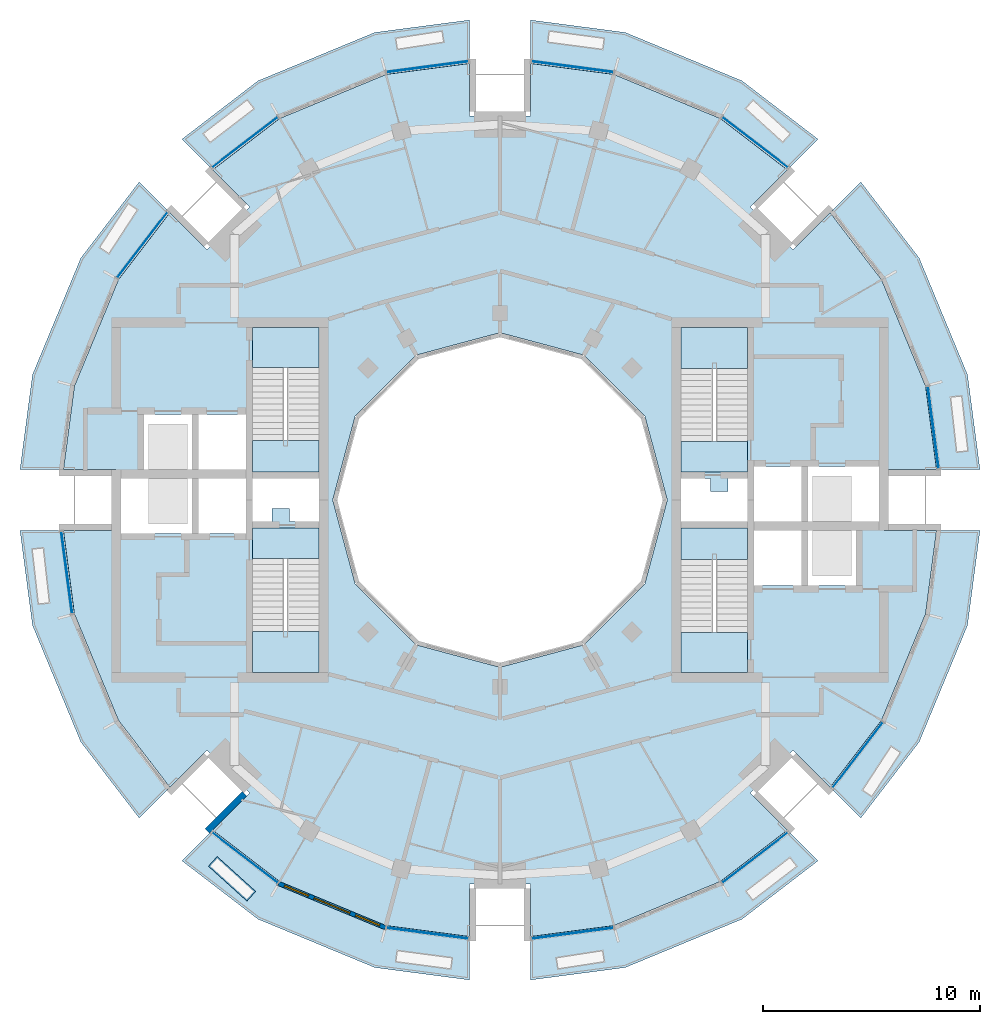
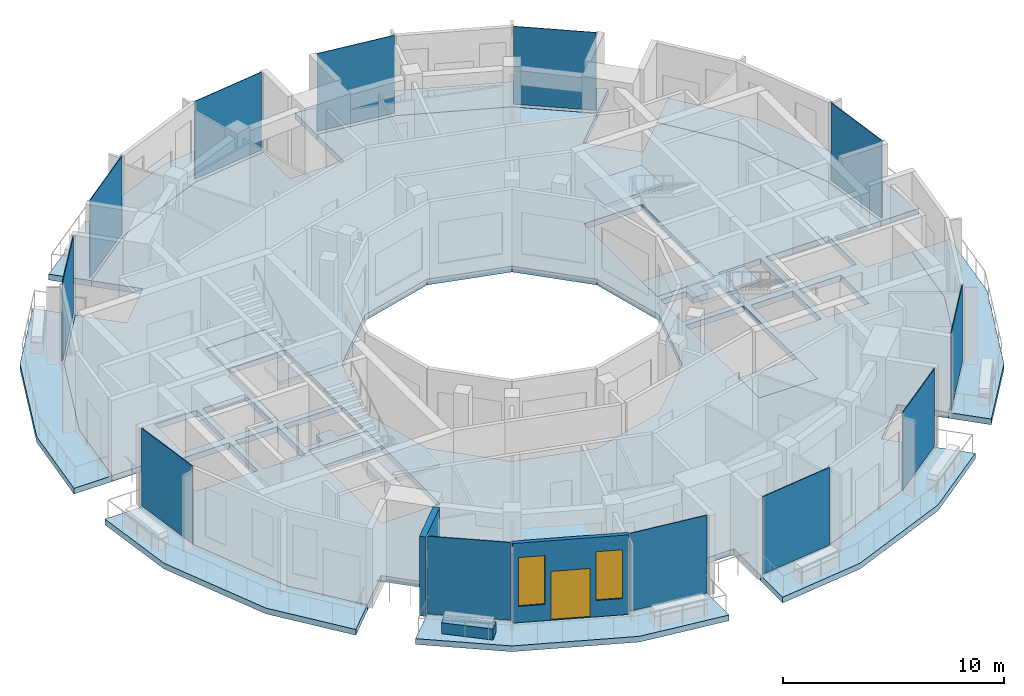
# One storey, part 6 of 15: 17 slabs, 12 plates, 3 walls, 2 windows, 1 door, 3 openings, 16 elements without a shape of their own.
"""IFC4 building model written with IfcOpenShell, lengths in metres."""

from ifc_helpers import new_model, si_unit, direction, frame, frame_2d, origin, origin_2d, place, context, subcontext, project, spatial, polyline, rectangle, outline, extrude, material, layer, layer_set, type_object, element, fill, aggregate, save


model = new_model("IFC4")

# Units and contexts
model_context = context("Model", 3, precision=1e-05, world=origin(), true_north=direction((0.0, 1.0)))
body_context = subcontext(model_context, "Body", "Model", "MODEL_VIEW")
ifc_project = project(units=[si_unit("LENGTHUNIT", "METRE"), si_unit("AREAUNIT", "SQUARE_METRE"), si_unit("VOLUMEUNIT", "CUBIC_METRE"), si_unit("PLANEANGLEUNIT", "RADIAN"), si_unit("MASSUNIT", "GRAM", prefix="KILO")], contexts=[model_context])

# Site, building, storey
site_placement = place(None, origin())
site = spatial("IfcSite", under=ifc_project, at=site_placement, CompositionType="ELEMENT")
building_placement = place(site_placement, origin())
building = spatial("IfcBuilding", under=site, at=building_placement, Name="Torre Brocal", CompositionType="ELEMENT")
storey_placement = place(building_placement, frame((0.0, 0.0, 314.89990234375)))
storey = spatial("IfcBuildingStorey", under=building, at=storey_placement, Name="L72", CompositionType="ELEMENT", Elevation=314.89990234375)

# Curtain wall, plate
ifc_material_1 = material(Name="Aluminium and glass", Category="aluminium")
ifc_layer_1 = layer(ifc_material_1, 0.199951171875)
ifc_layer_set_1 = layer_set([ifc_layer_1], Name="Aluminium and glass")
curtain_wall_type = type_object("IfcCurtainWallType", Name="CW-5 CURTAIN WALL 4400 HIGH", PredefinedType="NOTDEFINED", material=ifc_layer_set_1)
curtain_wall_1_placement = place(storey_placement, origin())
curtain_wall_1 = element("IfcCurtainWall", 1, at=curtain_wall_1_placement, inside=storey, type_object=curtain_wall_type, Name="CW-5 RUN 1", PredefinedType="NOTDEFINED")
ifc_material_2 = material(Name="Glass, dark tinted laminated", Category="glass")
ifc_layer_2 = layer(ifc_material_2, 0.035888671875)
ifc_layer_set_2 = layer_set([ifc_layer_2], Name="Glass, dark tinted laminated")
plate_type = type_object("IfcPlateType", Name="CW-5 GLASS PANEL 36", PredefinedType="CURTAIN_PANEL", material=ifc_layer_set_2)
plate_1_placement = place(storey_placement, frame((99.95947265625, 78.33984375, 0.10009765625), z_axis=(0.0, 0.0, 1.0), x_axis=(-0.130526192064, 0.991444861394, 0.0)))
plate_1 = element("IfcPlate", 2, at=plate_1_placement, type_object=plate_type, Name="CW5-1 panel 1.1", PredefinedType="CURTAIN_PANEL", context=body_context, shape_type="SweptSolid", body=[
    extrude(rectangle(XDim=3.793212890625, YDim=0.035888671875, at=origin_2d()), origin(), (0.0, 0.0, 1.0), 4.300048828125),
])
aggregate(curtain_wall_1, [plate_1])

curtain_wall_2_placement = place(storey_placement, origin())
curtain_wall_2 = element("IfcCurtainWall", 3, at=curtain_wall_2_placement, inside=storey, type_object=curtain_wall_type, Name="CW-5 RUN 4", PredefinedType="NOTDEFINED")
plate_2_placement = place(storey_placement, frame((91.751708984375, 91.47509765625, 0.10009765625), z_axis=(0.0, 0.0, 1.0), x_axis=(-0.793353340376, 0.608761428898, 0.0)))
plate_2 = element("IfcPlate", 4, at=plate_2_placement, type_object=plate_type, Name="CW5-1 panel 1.1", PredefinedType="CURTAIN_PANEL", context=body_context, shape_type="SweptSolid", body=[
    extrude(rectangle(XDim=3.793212890625, YDim=0.035888671875, at=origin_2d()), origin(), (0.0, 0.0, 1.0), 4.300048828125),
])
aggregate(curtain_wall_2, [plate_2])

curtain_wall_3_placement = place(storey_placement, origin())
curtain_wall_3 = element("IfcCurtainWall", 5, at=curtain_wall_3_placement, inside=storey, type_object=curtain_wall_type, Name="CW-5 RUN 6", PredefinedType="NOTDEFINED")
plate_3_placement = place(storey_placement, frame((83.33984375, 94.95947265625, 0.10009765625), z_axis=(0.0, 0.0, 1.0), x_axis=(-0.991444861394, 0.130526192064, 0.0)))
plate_3 = element("IfcPlate", 6, at=plate_3_placement, type_object=plate_type, Name="CW5-1 panel 1.1", PredefinedType="CURTAIN_PANEL", context=body_context, shape_type="SweptSolid", body=[
    extrude(rectangle(XDim=3.793212890625, YDim=0.035888671875, at=origin_2d()), origin(), (0.0, 0.0, 1.0), 4.300048828125),
])
aggregate(curtain_wall_3, [plate_3])

curtain_wall_4_placement = place(storey_placement, origin())
curtain_wall_4 = element("IfcCurtainWall", 7, at=curtain_wall_4_placement, inside=storey, type_object=curtain_wall_type, Name="CW-5 RUN 7", PredefinedType="NOTDEFINED")
plate_4_placement = place(storey_placement, frame((76.66015625, 94.95947265625, 0.10009765625), z_axis=(0.0, 0.0, 1.0), x_axis=(-0.991444861394, -0.130526192064, 0.0)))
plate_4 = element("IfcPlate", 8, at=plate_4_placement, type_object=plate_type, Name="CW5-1 panel 1.1", PredefinedType="CURTAIN_PANEL", context=body_context, shape_type="SweptSolid", body=[
    extrude(rectangle(XDim=3.793212890625, YDim=0.035888671875, at=origin_2d()), origin(), (0.0, 0.0, 1.0), 4.300048828125),
])
aggregate(curtain_wall_4, [plate_4])

curtain_wall_5_placement = place(storey_placement, origin())
curtain_wall_5 = element("IfcCurtainWall", 9, at=curtain_wall_5_placement, inside=storey, type_object=curtain_wall_type, Name="CW-5 RUN 9", PredefinedType="NOTDEFINED")
plate_5_placement = place(storey_placement, frame((68.248291015625, 91.47509765625, 0.10009765625), z_axis=(0.0, 0.0, 1.0), x_axis=(-0.793353340376, -0.608761428898, 0.0)))
plate_5 = element("IfcPlate", 10, at=plate_5_placement, type_object=plate_type, Name="CW5-1 panel 1.1", PredefinedType="CURTAIN_PANEL", context=body_context, shape_type="SweptSolid", body=[
    extrude(rectangle(XDim=3.793212890625, YDim=0.035888671875, at=origin_2d()), origin(), (0.0, 0.0, 1.0), 4.300048828125),
])
aggregate(curtain_wall_5, [plate_5])

curtain_wall_6_placement = place(storey_placement, origin())
curtain_wall_6 = element("IfcCurtainWall", 11, at=curtain_wall_6_placement, inside=storey, type_object=curtain_wall_type, Name="CW-5 RUN 10", PredefinedType="NOTDEFINED")
plate_6_placement = place(storey_placement, frame((63.52490234375, 86.751708984375, 0.10009765625), z_axis=(0.0, 0.0, 1.0), x_axis=(-0.608761428898, -0.793353340376, 0.0)))
plate_6 = element("IfcPlate", 12, at=plate_6_placement, type_object=plate_type, Name="CW5-1 panel 1.1", PredefinedType="CURTAIN_PANEL", context=body_context, shape_type="SweptSolid", body=[
    extrude(rectangle(XDim=3.793212890625, YDim=0.035888671875, at=origin_2d()), origin(), (0.0, 0.0, 1.0), 4.300048828125),
])
aggregate(curtain_wall_6, [plate_6])

curtain_wall_7_placement = place(storey_placement, origin())
curtain_wall_7 = element("IfcCurtainWall", 13, at=curtain_wall_7_placement, inside=storey, type_object=curtain_wall_type, Name="CW-5 RUN 13", PredefinedType="NOTDEFINED")
plate_7_placement = place(storey_placement, frame((60.04052734375, 71.66015625, 0.10009765625), z_axis=(0.0, 0.0, 1.0), x_axis=(0.130526192064, -0.991444861394, 0.0)))
plate_7 = element("IfcPlate", 14, at=plate_7_placement, type_object=plate_type, Name="CW5-1 panel 1.1", PredefinedType="CURTAIN_PANEL", context=body_context, shape_type="SweptSolid", body=[
    extrude(rectangle(XDim=3.793212890625, YDim=0.035888671875, at=origin_2d()), origin(), (0.0, 0.0, 1.0), 4.300048828125),
])
aggregate(curtain_wall_7, [plate_7])

curtain_wall_8_placement = place(storey_placement, origin())
curtain_wall_8 = element("IfcCurtainWall", 15, at=curtain_wall_8_placement, inside=storey, type_object=curtain_wall_type, Name="CW-5 RUN 16", PredefinedType="NOTDEFINED")
plate_8_placement = place(storey_placement, frame((68.248291015625, 58.52490234375, 0.10009765625), z_axis=(0.0, 0.0, 1.0), x_axis=(0.793353340376, -0.608761428898, 0.0)))
plate_8 = element("IfcPlate", 16, at=plate_8_placement, type_object=plate_type, Name="CW5-1 panel 1.1", PredefinedType="CURTAIN_PANEL", context=body_context, shape_type="SweptSolid", body=[
    extrude(rectangle(XDim=3.793212890625, YDim=0.035888671875, at=origin_2d()), origin(), (0.0, 0.0, 1.0), 4.300048828125),
])
aggregate(curtain_wall_8, [plate_8])

curtain_wall_9_placement = place(storey_placement, origin())
curtain_wall_9 = element("IfcCurtainWall", 17, at=curtain_wall_9_placement, inside=storey, type_object=curtain_wall_type, Name="CW-5 RUN 18", PredefinedType="NOTDEFINED")
plate_9_placement = place(storey_placement, frame((76.66015625, 55.04052734375, 0.10009765625), z_axis=(0.0, 0.0, 1.0), x_axis=(0.991444861394, -0.130526192064, 0.0)))
plate_9 = element("IfcPlate", 18, at=plate_9_placement, type_object=plate_type, Name="CW5-1 panel 1.1", PredefinedType="CURTAIN_PANEL", context=body_context, shape_type="SweptSolid", body=[
    extrude(rectangle(XDim=3.793212890625, YDim=0.035888671875, at=origin_2d()), origin(), (0.0, 0.0, 1.0), 4.300048828125),
])
aggregate(curtain_wall_9, [plate_9])

curtain_wall_10_placement = place(storey_placement, origin())
curtain_wall_10 = element("IfcCurtainWall", 19, at=curtain_wall_10_placement, inside=storey, type_object=curtain_wall_type, Name="CW-5 RUN 19", PredefinedType="NOTDEFINED")
plate_10_placement = place(storey_placement, frame((83.33984375, 55.04052734375, 0.10009765625), z_axis=(0.0, 0.0, 1.0), x_axis=(0.991444861394, 0.130526192064, 0.0)))
plate_10 = element("IfcPlate", 20, at=plate_10_placement, type_object=plate_type, Name="CW5-1 panel 1.1", PredefinedType="CURTAIN_PANEL", context=body_context, shape_type="SweptSolid", body=[
    extrude(rectangle(XDim=3.793212890625, YDim=0.035888671875, at=origin_2d()), origin(), (0.0, 0.0, 1.0), 4.300048828125),
])
aggregate(curtain_wall_10, [plate_10])

curtain_wall_11_placement = place(storey_placement, origin())
curtain_wall_11 = element("IfcCurtainWall", 21, at=curtain_wall_11_placement, inside=storey, type_object=curtain_wall_type, Name="CW-5 RUN 21", PredefinedType="NOTDEFINED")
plate_11_placement = place(storey_placement, frame((91.751708984375, 58.52490234375, 0.10009765625), z_axis=(0.0, 0.0, 1.0), x_axis=(0.793353340376, 0.608761428898, 0.0)))
plate_11 = element("IfcPlate", 22, at=plate_11_placement, type_object=plate_type, Name="CW5-1 panel 1.1", PredefinedType="CURTAIN_PANEL", context=body_context, shape_type="SweptSolid", body=[
    extrude(rectangle(XDim=3.793212890625, YDim=0.035888671875, at=origin_2d()), origin(), (0.0, 0.0, 1.0), 4.300048828125),
])
aggregate(curtain_wall_11, [plate_11])

curtain_wall_12_placement = place(storey_placement, origin())
curtain_wall_12 = element("IfcCurtainWall", 23, at=curtain_wall_12_placement, inside=storey, type_object=curtain_wall_type, Name="CW-5 RUN 22", PredefinedType="NOTDEFINED")
plate_12_placement = place(storey_placement, frame((96.47509765625, 63.248291015625, 0.10009765625), z_axis=(0.0, 0.0, 1.0), x_axis=(0.608761428898, 0.793353340376, 0.0)))
plate_12 = element("IfcPlate", 24, at=plate_12_placement, type_object=plate_type, Name="CW5-1 panel 1.1", PredefinedType="CURTAIN_PANEL", context=body_context, shape_type="SweptSolid", body=[
    extrude(rectangle(XDim=3.793212890625, YDim=0.035888671875, at=origin_2d()), origin(), (0.0, 0.0, 1.0), 4.300048828125),
])
aggregate(curtain_wall_12, [plate_12])

# Stair, slab
ifc_material_3 = material(Name="Concrete C50", Category="concrete")
stair_type = type_object("IfcStairType", Name="EXIT STAIR", PredefinedType="HALF_TURN_STAIR", material=ifc_material_3)
stair_1_placement = place(storey_placement, origin())
stair_1 = element("IfcStair", 25, at=stair_1_placement, inside=storey, type_object=stair_type, Name="EXIT STAIR ST1", PredefinedType="HALF_TURN_STAIR")
ifc_material_4 = material(Name="Concrete C50", Category="concrete")
ifc_layer_3 = layer(ifc_material_4, 0.320068359375)
ifc_layer_set_3 = layer_set([ifc_layer_3], Name="Concrete C50")
slab_type_1 = type_object("IfcSlabType", Name="FLOOR LANDING 320", PredefinedType="LANDING", material=ifc_layer_set_3)
slab_1_placement = place(storey_placement, frame((0.0, 0.0, -0.31982421875)))
slab_1 = element("IfcSlab", 26, at=slab_1_placement, type_object=slab_type_1, Name="ST1 landing 1", PredefinedType="LANDING", context=body_context, shape_type="SweptSolid", body=[
    extrude(outline(polyline([(88.35009765625, 76.300048828125), (91.39990234375, 76.300048828125), (91.39990234375, 77.699951171875), (88.35009765625, 77.699951171875), (88.35009765625, 76.300048828125)])), origin(), (0.0, 0.0, 1.0), 0.31982421875),
])

stair_2_placement = place(storey_placement, origin())
stair_2 = element("IfcStair", 27, at=stair_2_placement, inside=storey, type_object=stair_type, Name="EXIT STAIR ST2", PredefinedType="HALF_TURN_STAIR")
slab_2_placement = place(storey_placement, frame((0.0, 0.0, -0.31982421875)))
slab_2 = element("IfcSlab", 28, at=slab_2_placement, type_object=slab_type_1, Name="ST2 landing 1", PredefinedType="LANDING", context=body_context, shape_type="SweptSolid", body=[
    extrude(outline(polyline([(88.35009765625, 67.050048828125), (91.39990234375, 67.050048828125), (91.39990234375, 68.89990234375), (88.35009765625, 68.89990234375), (88.35009765625, 67.050048828125)])), origin(), (0.0, 0.0, 1.0), 0.31982421875),
])

stair_3_placement = place(storey_placement, origin())
stair_3 = element("IfcStair", 29, at=stair_3_placement, inside=storey, type_object=stair_type, Name="EXIT STAIR ST3", PredefinedType="HALF_TURN_STAIR")
slab_3_placement = place(storey_placement, frame((0.0, 0.0, -0.31982421875)))
slab_3 = element("IfcSlab", 30, at=slab_3_placement, type_object=slab_type_1, Name="ST3 landing 1", PredefinedType="LANDING", context=body_context, shape_type="SweptSolid", body=[
    extrude(outline(polyline([(71.64990234375, 73.699951171875), (68.60009765625, 73.699951171875), (68.60009765625, 72.300048828125), (71.64990234375, 72.300048828125), (71.64990234375, 73.699951171875)])), origin(), (0.0, 0.0, 1.0), 0.31982421875),
])

stair_4_placement = place(storey_placement, origin())
stair_4 = element("IfcStair", 31, at=stair_4_placement, inside=storey, type_object=stair_type, Name="EXIT STAIR ST4", PredefinedType="HALF_TURN_STAIR")
slab_4_placement = place(storey_placement, frame((0.0, 0.0, -0.31982421875)))
slab_4 = element("IfcSlab", 32, at=slab_4_placement, type_object=slab_type_1, Name="ST4 landing 1", PredefinedType="LANDING", context=body_context, shape_type="SweptSolid", body=[
    extrude(outline(polyline([(71.64990234375, 82.949951171875), (68.60009765625, 82.949951171875), (68.60009765625, 81.10009765625), (71.64990234375, 81.10009765625), (71.64990234375, 82.949951171875)])), origin(), (0.0, 0.0, 1.0), 0.31982421875),
])

# Slab
ifc_material_5 = material(Name="Concrete C50", Category="concrete")
ifc_layer_4 = layer(ifc_material_5, 0.199951171875)
ifc_layer_set_4 = layer_set([ifc_layer_4], Name="Concrete C50")
slab_type_2 = type_object("IfcSlabType", Name="MID LANDING +2200", PredefinedType="LANDING", material=ifc_layer_set_4)
slab_5_placement = place(storey_placement, frame((0.0, 0.0, 2.0)))
slab_5 = element("IfcSlab", 33, at=slab_5_placement, type_object=slab_type_2, Name="ST1 landing 2", PredefinedType="LANDING", context=body_context, shape_type="SweptSolid", body=[
    extrude(outline(polyline([(88.35009765625, 81.06005859375), (91.39990234375, 81.06005859375), (91.39990234375, 82.949951171875), (88.35009765625, 82.949951171875), (88.35009765625, 81.06005859375)])), origin(), (0.0, 0.0, 1.0), 0.2001953125),
])

aggregate(stair_1, [slab_1, slab_5])

slab_6_placement = place(storey_placement, frame((0.0, 0.0, 2.0)))
slab_6 = element("IfcSlab", 34, at=slab_6_placement, type_object=slab_type_2, Name="ST2 landing 2", PredefinedType="LANDING", context=body_context, shape_type="SweptSolid", body=[
    extrude(outline(polyline([(88.35009765625, 72.260009765625), (91.39990234375, 72.260009765625), (91.39990234375, 73.699951171875), (88.35009765625, 73.699951171875), (88.35009765625, 72.260009765625)])), origin(), (0.0, 0.0, 1.0), 0.2001953125),
])

aggregate(stair_2, [slab_2, slab_6])

slab_7_placement = place(storey_placement, frame((0.0, 0.0, 2.0)))
slab_7 = element("IfcSlab", 35, at=slab_7_placement, type_object=slab_type_2, Name="ST3 landing 2", PredefinedType="LANDING", context=body_context, shape_type="SweptSolid", body=[
    extrude(outline(polyline([(71.64990234375, 68.93994140625), (68.60009765625, 68.93994140625), (68.60009765625, 67.050048828125), (71.64990234375, 67.050048828125), (71.64990234375, 68.93994140625)])), origin(), (0.0, 0.0, 1.0), 0.2001953125),
])

aggregate(stair_3, [slab_3, slab_7])

slab_8_placement = place(storey_placement, frame((0.0, 0.0, 2.0)))
slab_8 = element("IfcSlab", 36, at=slab_8_placement, type_object=slab_type_2, Name="ST4 landing 2", PredefinedType="LANDING", context=body_context, shape_type="SweptSolid", body=[
    extrude(outline(polyline([(71.64990234375, 77.739990234375), (68.60009765625, 77.739990234375), (68.60009765625, 76.300048828125), (71.64990234375, 76.300048828125), (71.64990234375, 77.739990234375)])), origin(), (0.0, 0.0, 1.0), 0.2001953125),
])

aggregate(stair_4, [slab_4, slab_8])

# Slabs
ifc_material_6 = material(Name="Concrete C45", Category="concrete")
ifc_layer_5 = layer(ifc_material_6, 0.320068359375)
ifc_layer_set_5 = layer_set([ifc_layer_5], Name="Concrete C45")
slab_type_3 = type_object("IfcSlabType", Name="PT FLOOR SLAB 320 C45", PredefinedType="FLOOR", material=ifc_layer_set_5)
slab_9_placement = place(storey_placement, frame((0.0, 0.0, -0.31982421875)))
element("IfcSlab", 37, at=slab_9_placement, inside=storey, type_object=slab_type_3, Name="Slab ST-05", PredefinedType="FLOOR", context=body_context, shape_type="SweptSolid", body=[
    extrude(outline(polyline([(97.699951171875, 76.39990234375), (97.699951171875, 73.60009765625), (100.114013671875, 73.60009765625), (99.606689453125, 69.746337890625), (97.578857421875, 64.850830078125), (95.212646484375, 61.767333984375), (93.505859375, 63.47412109375), (91.52587890625, 61.494140625), (93.232666015625, 59.787353515625), (90.149169921875, 57.421142578125), (85.253662109375, 55.393310546875), (81.39990234375, 54.885986328125), (81.39990234375, 57.300048828125), (78.60009765625, 57.300048828125), (78.60009765625, 54.885986328125), (74.746337890625, 55.393310546875), (69.850830078125, 57.421142578125), (66.767333984375, 59.787353515625), (68.47412109375, 61.494140625), (66.494140625, 63.47412109375), (64.787353515625, 61.767333984375), (62.421142578125, 64.850830078125), (60.393310546875, 69.746337890625), (59.885986328125, 73.60009765625), (62.300048828125, 73.60009765625), (62.300048828125, 76.39990234375), (59.885986328125, 76.39990234375), (60.393310546875, 80.253662109375), (62.421142578125, 85.149169921875), (64.787353515625, 88.232666015625), (66.494140625, 86.52587890625), (68.47412109375, 88.505859375), (66.767333984375, 90.212646484375), (69.850830078125, 92.578857421875), (74.746337890625, 94.606689453125), (78.60009765625, 95.114013671875), (78.60009765625, 92.699951171875), (81.39990234375, 92.699951171875), (81.39990234375, 95.114013671875), (85.253662109375, 94.606689453125), (90.149169921875, 92.578857421875), (93.232666015625, 90.212646484375), (91.52587890625, 88.505859375), (93.505859375, 86.52587890625), (95.212646484375, 88.232666015625), (97.578857421875, 85.149169921875), (99.606689453125, 80.253662109375), (100.114013671875, 76.39990234375), (97.699951171875, 76.39990234375)]), holes=[polyline([(97.449951171875, 76.550048828125), (94.199951171875, 76.550048828125), (94.199951171875, 74.0), (97.449951171875, 74.0), (97.449951171875, 76.550048828125)]), polyline([(96.39990234375, 73.60009765625), (94.199951171875, 73.60009765625), (94.199951171875, 71.050048828125), (96.39990234375, 71.050048828125), (96.39990234375, 73.60009765625)]), polyline([(93.89990234375, 73.60009765625), (91.699951171875, 73.60009765625), (91.699951171875, 71.050048828125), (93.89990234375, 71.050048828125), (93.89990234375, 73.60009765625)]), polyline([(93.89990234375, 76.550048828125), (91.699951171875, 76.550048828125), (91.699951171875, 74.0), (93.89990234375, 74.0), (93.89990234375, 76.550048828125)]), polyline([(89.699951171875, 76.0), (88.35009765625, 76.0), (88.35009765625, 74.0), (91.39990234375, 74.0), (91.39990234375, 76.0), (90.5, 76.0), (90.5, 75.39990234375), (89.699951171875, 75.39990234375), (89.699951171875, 76.0)]), polyline([(88.35009765625, 73.699951171875), (88.35009765625, 67.050048828125), (91.39990234375, 67.050048828125), (91.39990234375, 73.699951171875), (88.35009765625, 73.699951171875)]), polyline([(91.39990234375, 82.949951171875), (88.35009765625, 82.949951171875), (88.35009765625, 76.300048828125), (91.39990234375, 76.300048828125), (91.39990234375, 82.949951171875)]), polyline([(80.0, 82.70703125), (76.146484375, 81.674560546875), (73.325439453125, 78.853515625), (72.29296875, 75.0), (73.325439453125, 71.146484375), (76.146484375, 68.325439453125), (80.0, 67.29296875), (83.853515625, 68.325439453125), (86.674560546875, 71.146484375), (87.70703125, 75.0), (86.674560546875, 78.853515625), (83.853515625, 81.674560546875), (80.0, 82.70703125)]), polyline([(71.64990234375, 67.050048828125), (71.64990234375, 73.699951171875), (68.60009765625, 73.699951171875), (68.60009765625, 67.050048828125), (71.64990234375, 67.050048828125)]), polyline([(68.60009765625, 76.300048828125), (71.64990234375, 76.300048828125), (71.64990234375, 82.949951171875), (68.60009765625, 82.949951171875), (68.60009765625, 76.300048828125)]), polyline([(70.300048828125, 74.0), (71.64990234375, 74.0), (71.64990234375, 76.0), (68.60009765625, 76.0), (68.60009765625, 74.0), (69.5, 74.0), (69.5, 74.60009765625), (70.300048828125, 74.60009765625), (70.300048828125, 74.0)]), polyline([(66.10009765625, 73.449951171875), (68.300048828125, 73.449951171875), (68.300048828125, 76.0), (66.10009765625, 76.0), (66.10009765625, 73.449951171875)]), polyline([(66.10009765625, 76.39990234375), (68.300048828125, 76.39990234375), (68.300048828125, 78.949951171875), (66.10009765625, 78.949951171875), (66.10009765625, 76.39990234375)]), polyline([(62.550048828125, 73.449951171875), (65.800048828125, 73.449951171875), (65.800048828125, 76.0), (62.550048828125, 76.0), (62.550048828125, 73.449951171875)]), polyline([(63.60009765625, 76.39990234375), (65.800048828125, 76.39990234375), (65.800048828125, 78.949951171875), (63.60009765625, 78.949951171875), (63.60009765625, 76.39990234375)])]), origin(), (0.0, 0.0, 1.0), 0.31982421875),
])
ifc_material_7 = material(Name="Concrete C45", Category="concrete")
ifc_layer_6 = layer(ifc_material_7, 0.320068359375)
ifc_layer_set_6 = layer_set([ifc_layer_6], Name="Concrete C45")
slab_type_4 = type_object("IfcSlabType", Name="PT TERRACE SLAB 320 C45", PredefinedType="ROOF", material=ifc_layer_set_6)
slab_10_placement = place(storey_placement, frame((0.0, 0.0, -0.31982421875)))
element("IfcSlab", 38, at=slab_10_placement, inside=storey, type_object=slab_type_4, Name="Slab ST-06", PredefinedType="ROOF", context=body_context, shape_type="SweptSolid", body=[
    extrude(outline(polyline([(74.746337890625, 55.393310546875), (78.60009765625, 54.885986328125), (78.60009765625, 52.885986328125), (74.228759765625, 53.46142578125), (68.850830078125, 55.689208984375), (65.35302734375, 58.373046875), (66.767333984375, 59.787353515625), (69.850830078125, 57.421142578125), (74.746337890625, 55.393310546875)])), origin(), (0.0, 0.0, 1.0), 0.31982421875),
])
slab_11_placement = place(storey_placement, frame((0.0, 0.0, -0.31982421875)))
element("IfcSlab", 39, at=slab_11_placement, inside=storey, type_object=slab_type_4, Name="Slab ST-06", PredefinedType="ROOF", context=body_context, shape_type="SweptSolid", body=[
    extrude(outline(polyline([(90.149169921875, 57.421142578125), (93.232666015625, 59.787353515625), (94.64697265625, 58.373046875), (91.149169921875, 55.689208984375), (85.771240234375, 53.46142578125), (81.39990234375, 52.885986328125), (81.39990234375, 54.885986328125), (85.253662109375, 55.393310546875), (90.149169921875, 57.421142578125)])), origin(), (0.0, 0.0, 1.0), 0.31982421875),
])
slab_12_placement = place(storey_placement, frame((0.0, 0.0, -0.31982421875)))
element("IfcSlab", 40, at=slab_12_placement, inside=storey, type_object=slab_type_4, Name="Slab ST-06", PredefinedType="ROOF", context=body_context, shape_type="SweptSolid", body=[
    extrude(outline(polyline([(62.421142578125, 64.850830078125), (64.787353515625, 61.767333984375), (63.373046875, 60.35302734375), (60.689208984375, 63.850830078125), (58.46142578125, 69.228759765625), (57.885986328125, 73.60009765625), (59.885986328125, 73.60009765625), (60.393310546875, 69.746337890625), (62.421142578125, 64.850830078125)])), origin(), (0.0, 0.0, 1.0), 0.31982421875),
])
slab_13_placement = place(storey_placement, frame((0.0, 0.0, -0.31982421875)))
element("IfcSlab", 41, at=slab_13_placement, inside=storey, type_object=slab_type_4, Name="Slab ST-06", PredefinedType="ROOF", context=body_context, shape_type="SweptSolid", body=[
    extrude(outline(polyline([(97.578857421875, 64.850830078125), (99.606689453125, 69.746337890625), (100.114013671875, 73.60009765625), (102.114013671875, 73.60009765625), (101.53857421875, 69.228759765625), (99.310791015625, 63.850830078125), (96.626953125, 60.35302734375), (95.212646484375, 61.767333984375), (97.578857421875, 64.850830078125)])), origin(), (0.0, 0.0, 1.0), 0.31982421875),
])
slab_14_placement = place(storey_placement, frame((0.0, 0.0, -0.31982421875)))
element("IfcSlab", 42, at=slab_14_placement, inside=storey, type_object=slab_type_4, Name="Slab ST-06", PredefinedType="ROOF", context=body_context, shape_type="SweptSolid", body=[
    extrude(outline(polyline([(62.421142578125, 85.149169921875), (60.393310546875, 80.253662109375), (59.885986328125, 76.39990234375), (57.885986328125, 76.39990234375), (58.46142578125, 80.771240234375), (60.689208984375, 86.149169921875), (63.373046875, 89.64697265625), (64.787353515625, 88.232666015625), (62.421142578125, 85.149169921875)])), origin(), (0.0, 0.0, 1.0), 0.31982421875),
])
slab_15_placement = place(storey_placement, frame((0.0, 0.0, -0.31982421875)))
element("IfcSlab", 43, at=slab_15_placement, inside=storey, type_object=slab_type_4, Name="Slab ST-06", PredefinedType="ROOF", context=body_context, shape_type="SweptSolid", body=[
    extrude(outline(polyline([(96.626953125, 89.64697265625), (99.310791015625, 86.149169921875), (101.53857421875, 80.771240234375), (102.114013671875, 76.39990234375), (100.114013671875, 76.39990234375), (99.606689453125, 80.253662109375), (97.578857421875, 85.149169921875), (95.212646484375, 88.232666015625), (96.626953125, 89.64697265625)])), origin(), (0.0, 0.0, 1.0), 0.31982421875),
])
slab_16_placement = place(storey_placement, frame((0.0, 0.0, -0.31982421875)))
element("IfcSlab", 44, at=slab_16_placement, inside=storey, type_object=slab_type_4, Name="Slab ST-06", PredefinedType="ROOF", context=body_context, shape_type="SweptSolid", body=[
    extrude(outline(polyline([(69.850830078125, 92.578857421875), (66.767333984375, 90.212646484375), (65.35302734375, 91.626953125), (68.850830078125, 94.310791015625), (74.228759765625, 96.53857421875), (78.60009765625, 97.114013671875), (78.60009765625, 95.114013671875), (74.746337890625, 94.606689453125), (69.850830078125, 92.578857421875)])), origin(), (0.0, 0.0, 1.0), 0.31982421875),
])
slab_17_placement = place(storey_placement, frame((0.0, 0.0, -0.31982421875)))
element("IfcSlab", 45, at=slab_17_placement, inside=storey, type_object=slab_type_4, Name="Slab ST-06", PredefinedType="ROOF", context=body_context, shape_type="SweptSolid", body=[
    extrude(outline(polyline([(85.253662109375, 94.606689453125), (81.39990234375, 95.114013671875), (81.39990234375, 97.114013671875), (85.771240234375, 96.53857421875), (91.149169921875, 94.310791015625), (94.64697265625, 91.626953125), (93.232666015625, 90.212646484375), (90.149169921875, 92.578857421875), (85.253662109375, 94.606689453125)])), origin(), (0.0, 0.0, 1.0), 0.31982421875),
])

# Wall, openings, door, windows
ifc_material_8 = material(Name="Concrete C40", Category="concrete")
ifc_layer_7 = layer(ifc_material_8, 0.199951171875)
ifc_layer_set_7 = layer_set([ifc_layer_7], Name="Concrete C40")
wall_type_1 = type_object("IfcWallType", Name="EXTERNAL WALL 200", PredefinedType="NOTDEFINED", material=ifc_layer_set_7)
wall_1_placement = place(storey_placement, frame((69.800537109375, 57.333740234375, 0.0), z_axis=(0.0, 0.0, 1.0), x_axis=(0.923876574156, -0.382690574388, 0.0)))
wall_1 = element("IfcWall", 46, at=wall_1_placement, inside=storey, type_object=wall_type_1, Name="EXTERNAL WALL", PredefinedType="NOTDEFINED", context=body_context, shape_type="SweptSolid", body=[
    extrude(rectangle(XDim=5.324951171875, YDim=0.199951171875, at=frame_2d((2.66259765625, 0.0))), origin(), (0.0, 0.0, 1.0), 4.400146484375),
])
opening_1_placement = place(wall_1_placement, frame((0.28759765625, 0.0, 0.89990234375)))
opening_1 = element("IfcOpeningElement", 47, at=opening_1_placement, cuts=wall_1, Name="Opening W9", PredefinedType="OPENING", context=body_context, shape_type="SweptSolid", body=[
    extrude(rectangle(XDim=1.199951171875, YDim=2.699951171875, at=frame_2d((0.60009765625, 1.35009765625))), frame((0.0, 0.10986328125, 0.0), z_axis=(0.0, -1.0, 0.0), x_axis=(1.0, 0.0, 0.0)), (0.0, 0.0, 1.0), 0.219970703125),
])
opening_2_placement = place(wall_1_placement, frame((1.7626953125, 0.0, 0.0)))
opening_2 = element("IfcOpeningElement", 48, at=opening_2_placement, cuts=wall_1, Name="Opening L72-E06", PredefinedType="OPENING", context=body_context, shape_type="SweptSolid", body=[
    extrude(rectangle(XDim=1.800048828125, YDim=2.699951171875, at=frame_2d((0.89990234375, 1.35009765625))), frame((0.0, 0.10986328125, 0.0), z_axis=(0.0, -1.0, 0.0), x_axis=(1.0, 0.0, 0.0)), (0.0, 0.0, 1.0), 0.219970703125),
])
opening_3_placement = place(wall_1_placement, frame((3.837646484375, 0.0, 0.89990234375)))
opening_3 = element("IfcOpeningElement", 49, at=opening_3_placement, cuts=wall_1, Name="Opening W9", PredefinedType="OPENING", context=body_context, shape_type="SweptSolid", body=[
    extrude(rectangle(XDim=1.199951171875, YDim=2.699951171875, at=frame_2d((0.60009765625, 1.35009765625))), frame((0.0, 0.10986328125, 0.0), z_axis=(0.0, -1.0, 0.0), x_axis=(1.0, 0.0, 0.0)), (0.0, 0.0, 1.0), 0.219970703125),
])
ifc_material_9 = material(Name="Aluminium and glass", Category="aluminium")
door_type = type_object("IfcDoorType", Name="PENTHOUSE TERRACE DOUBLE DOOR 1800X2700", OperationType="DOUBLE_DOOR_SINGLE_SWING", PredefinedType="DOOR", material=ifc_material_9)
door_placement = place(opening_2_placement, frame((1.800048828125, 0.0, 0.0), z_axis=(0.0, 0.0, 1.0), x_axis=(-1.0, 0.0, 0.0)))
door = element("IfcDoor", 50, at=door_placement, inside=storey, type_object=door_type, Name="DOOR L72-E06", OperationType="DOUBLE_DOOR_SINGLE_SWING", OverallHeight=2.699951171875, OverallWidth=1.800048828125, PredefinedType="DOOR", context=body_context, shape_type="SweptSolid", body=[
    extrude(rectangle(XDim=1.800048828125, YDim=2.699951171875, at=frame_2d((0.89990234375, 1.35009765625))), frame((0.0, 0.02490234375, 0.0), z_axis=(0.0, -1.0, 0.0), x_axis=(1.0, 0.0, 0.0)), (0.0, 0.0, 1.0), 0.050048828125),
])
fill(opening_2, door)
ifc_material_10 = material(Name="Aluminium and glass", Category="aluminium")
window_type = type_object("IfcWindowType", Name="PENTHOUSE TERRACE WINDOW 1200X2700", PartitioningType="SINGLE_PANEL", PredefinedType="WINDOW", material=ifc_material_10)
window_1_placement = place(opening_1_placement, origin())
window_1 = element("IfcWindow", 51, at=window_1_placement, inside=storey, type_object=window_type, Name="PENTHOUSE TERRACE WINDOW 1200X2700", OverallHeight=2.699951171875, OverallWidth=1.199951171875, PartitioningType="SINGLE_PANEL", PredefinedType="WINDOW", context=body_context, shape_type="SweptSolid", body=[
    extrude(rectangle(XDim=1.199951171875, YDim=2.699951171875, at=frame_2d((0.60009765625, 1.35009765625))), frame((0.0, 0.030029296875, 0.0), z_axis=(0.0, -1.0, 0.0), x_axis=(1.0, 0.0, 0.0)), (0.0, 0.0, 1.0), 0.06005859375),
])
fill(opening_1, window_1)
window_2_placement = place(opening_3_placement, origin())
window_2 = element("IfcWindow", 52, at=window_2_placement, inside=storey, type_object=window_type, Name="PENTHOUSE TERRACE WINDOW 1200X2700", OverallHeight=2.699951171875, OverallWidth=1.199951171875, PartitioningType="SINGLE_PANEL", PredefinedType="WINDOW", context=body_context, shape_type="SweptSolid", body=[
    extrude(rectangle(XDim=1.199951171875, YDim=2.699951171875, at=frame_2d((0.60009765625, 1.35009765625))), frame((0.0, 0.030029296875, 0.0), z_axis=(0.0, -1.0, 0.0), x_axis=(1.0, 0.0, 0.0)), (0.0, 0.0, 1.0), 0.06005859375),
])
fill(opening_3, window_2)

# Walls
ifc_material_11 = material(Name="Concrete C50", Category="concrete")
ifc_layer_8 = layer(ifc_material_11, 0.300048828125)
ifc_layer_set_8 = layer_set([ifc_layer_8], Name="Concrete C50")
wall_type_2 = type_object("IfcWallType", Name="NOTCH RETURN WALL 300 C50", PredefinedType="NOTDEFINED", material=ifc_layer_set_8)
wall_2_placement = place(storey_placement, frame((68.2265625, 61.458984375, 0.0), z_axis=(0.0, 0.0, 1.0), x_axis=(-0.707056246487, -0.707157312274, 0.0)))
element("IfcWall", 53, at=wall_2_placement, inside=storey, type_object=wall_type_2, Name="NOTCH RETURN WALL", PredefinedType="NOTDEFINED", context=body_context, shape_type="SweptSolid", body=[
    extrude(rectangle(XDim=2.415771484375, YDim=0.300048828125, at=frame_2d((1.2080078125, 0.0))), origin(), (0.0, 0.0, 1.0), 4.400146484375),
])
ifc_material_12 = material(Name="Concrete C35", Category="concrete")
ifc_layer_9 = layer(ifc_material_12, 0.60009765625)
ifc_layer_set_9 = layer_set([ifc_layer_9], Name="Concrete C35")
wall_type_3 = type_object("IfcWallType", Name="PLANTER WALL 600 THICK 600 HIGH 12", PredefinedType="USERDEFINED", material=ifc_layer_set_9)
wall_3_placement = place(storey_placement, frame((66.7685546875, 58.349609375, 0.0), z_axis=(0.0, 0.0, 1.0), x_axis=(0.741658991894, -0.670777116293, 0.0)))
element("IfcWall", 54, at=wall_3_placement, inside=storey, type_object=wall_type_3, Name="PLANTER", ObjectType="PLANTER", PredefinedType="USERDEFINED", context=body_context, shape_type="SweptSolid", body=[
    extrude(rectangle(XDim=2.393798828125, YDim=0.60009765625, at=frame_2d((1.19677734375, 0.0))), origin(), (0.0, 0.0, 1.0), 0.60009765625),
])

save(model, "model.ifc")
